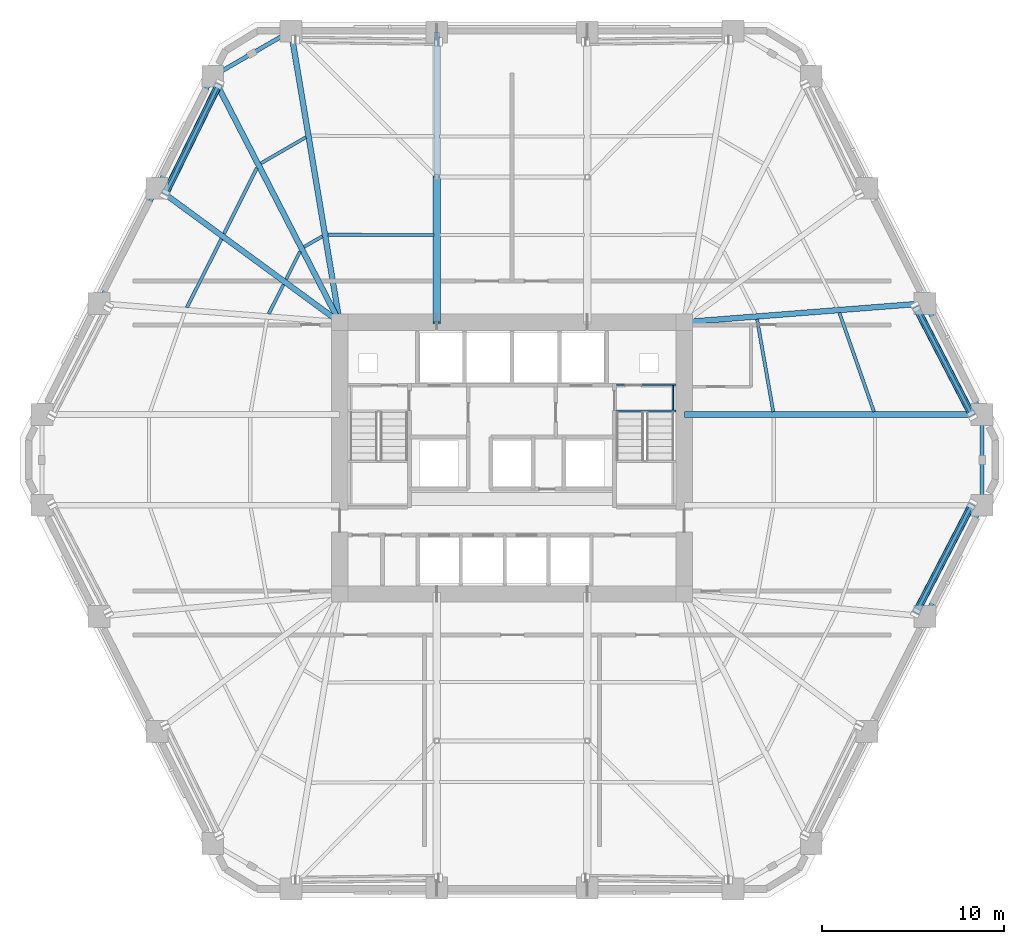
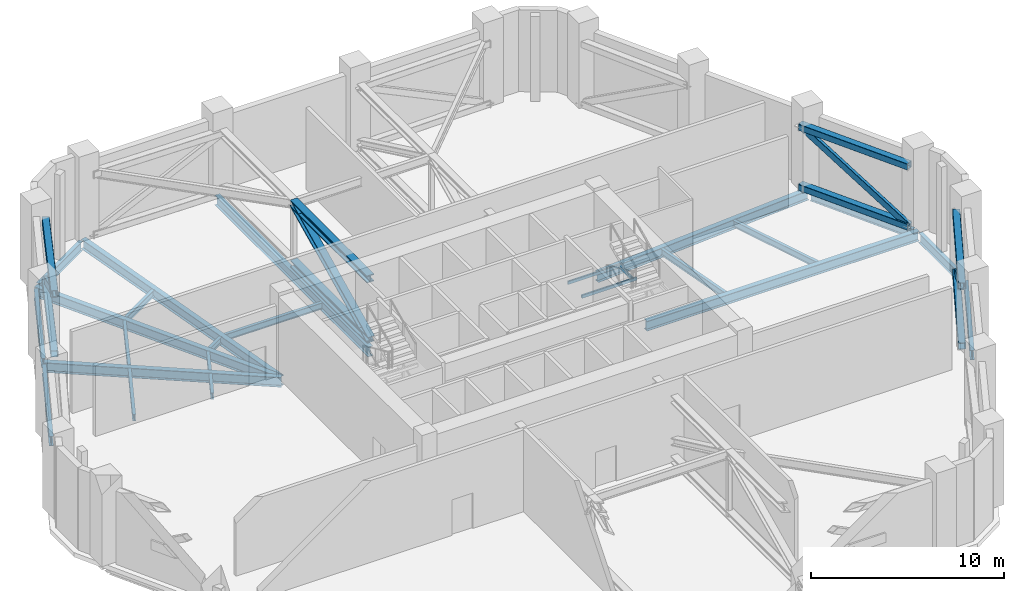
# One storey, part 4 of 19: 24 beams, 12 members.
"""IFC4 building model written with IfcOpenShell, lengths in metres."""

from ifc_helpers import new_model, si_unit, direction, frame, origin, origin_2d, place, context, subcontext, project, spatial, hollow_rectangle, i_section, extrude, material, material_profile, profile_set, type_object, element, save


model = new_model("IFC4")

# Units and contexts
model_context = context("Model", 3, precision=1e-05, world=origin(), true_north=direction((0.0, 1.0)))
body_context = subcontext(model_context, "Body", "Model", "MODEL_VIEW")
ifc_project = project(units=[si_unit("LENGTHUNIT", "METRE"), si_unit("AREAUNIT", "SQUARE_METRE"), si_unit("VOLUMEUNIT", "CUBIC_METRE"), si_unit("PLANEANGLEUNIT", "RADIAN"), si_unit("MASSUNIT", "GRAM", prefix="KILO")], contexts=[model_context])

# Site, building, storey
site_placement = place(None, origin())
site = spatial("IfcSite", under=ifc_project, at=site_placement, CompositionType="ELEMENT")
building_placement = place(site_placement, origin())
building = spatial("IfcBuilding", under=site, at=building_placement, Name="Cinnabar Lancet Tower", CompositionType="ELEMENT")
storey_placement = place(building_placement, frame((0.0, 0.0, 74.60009765625)))
storey = spatial("IfcBuildingStorey", under=building, at=storey_placement, Name="L19", CompositionType="ELEMENT", Elevation=74.60009765625)

# Beams
ifc_material_1 = material(Name="Structural steel S355", Category="steel")
ifc_material_profile_1 = material_profile(ifc_material_1, i_section(OverallWidth=0.177978515625, OverallDepth=0.406494140625, WebThickness=0.0078125, FlangeThickness=0.0126953125, FilletRadius=0.01025390625, at=origin_2d()), Name="UKB 406x178x60")
ifc_profile_set_1 = profile_set([ifc_material_profile_1], Name="Structural steel S355")
beam_type_1 = type_object("IfcBeamType", Name="STR-BM-JST-406", PredefinedType="JOIST", material=ifc_profile_set_1)
beam_1_placement = place(storey_placement, frame((52.239990234375, 28.43994140625, -0.483154296875), z_axis=(-0.329645522599, 0.944104776723, 0.0), x_axis=(-0.944104776723, -0.329645522599, 0.0)))
element("IfcBeam", 1, at=beam_1_placement, inside=storey, type_object=beam_type_1, Name="L19 Secondary Floor Joist 25", PredefinedType="JOIST", context=body_context, shape_type="SweptSolid", body=[
    extrude(i_section(OverallWidth=0.177978515625, OverallDepth=0.406494140625, WebThickness=0.0078125, FlangeThickness=0.0126953125, FilletRadius=0.01025390625, at=origin_2d()), origin(), (0.0, 0.0, 1.0), 5.73974609375),
])
beam_2_placement = place(storey_placement, frame((46.718994140625, 28.43994140625, -0.483154296875), z_axis=(-0.171867959611, 0.985119994954, 0.0), x_axis=(-0.985119994954, -0.171867959611, 0.0)))
element("IfcBeam", 2, at=beam_2_placement, inside=storey, type_object=beam_type_1, Name="L19 Secondary Floor Joist 26", PredefinedType="JOIST", context=body_context, shape_type="SweptSolid", body=[
    extrude(i_section(OverallWidth=0.177978515625, OverallDepth=0.406494140625, WebThickness=0.0078125, FlangeThickness=0.0126953125, FilletRadius=0.01025390625, at=origin_2d()), origin(), (0.0, 0.0, 1.0), 5.1435546875),
])
beam_3_placement = place(storey_placement, frame((28.1240234375, 38.123046875, -0.483154296875), z_axis=(-0.999996724007, 0.002559682773, 0.0), x_axis=(-0.002559682773, -0.999996724007, 0.0)))
element("IfcBeam", 3, at=beam_3_placement, inside=storey, type_object=beam_type_1, Name="L19 Secondary Floor Joist 38", PredefinedType="JOIST", context=body_context, shape_type="SweptSolid", body=[
    extrude(i_section(OverallWidth=0.177978515625, OverallDepth=0.406494140625, WebThickness=0.0078125, FlangeThickness=0.0126953125, FilletRadius=0.01025390625, at=origin_2d()), origin(), (0.0, 0.0, 1.0), 5.818115234375),
])
beam_4_placement = place(storey_placement, frame((21.10107421875, 43.48291015625, -0.483154296875), z_axis=(-0.865113631149, -0.50157592167, 0.0), x_axis=(0.50157592167, -0.865113631149, 0.0)))
element("IfcBeam", 4, at=beam_4_placement, inside=storey, type_object=beam_type_1, Name="L19 Secondary Floor Joist 39", PredefinedType="JOIST", context=body_context, shape_type="SweptSolid", body=[
    extrude(i_section(OverallWidth=0.177978515625, OverallDepth=0.406494140625, WebThickness=0.0078125, FlangeThickness=0.0126953125, FilletRadius=0.01025390625, at=origin_2d()), origin(), (0.0, 0.0, 1.0), 2.852783203125),
])
beam_5_placement = place(storey_placement, frame((22.008056640625, 38.055908203125, -0.483154296875), z_axis=(-0.865192550274, -0.50143977799, 0.0), x_axis=(0.50143977799, -0.865192550274, 0.0)))
element("IfcBeam", 5, at=beam_5_placement, inside=storey, type_object=beam_type_1, Name="L19 Secondary Floor Joist 40", PredefinedType="JOIST", context=body_context, shape_type="SweptSolid", body=[
    extrude(i_section(OverallWidth=0.177978515625, OverallDepth=0.406494140625, WebThickness=0.0078125, FlangeThickness=0.0126953125, FilletRadius=0.01025390625, at=origin_2d()), origin(), (0.0, 0.0, 1.0), 1.16845703125),
])
beam_6_placement = place(storey_placement, frame((18.4150390625, 41.804931640625, -0.483154296875), z_axis=(-0.445738672706, -0.895163133543, 0.0), x_axis=(0.895163133543, -0.445738672706, 0.0)))
element("IfcBeam", 6, at=beam_6_placement, inside=storey, type_object=beam_type_1, Name="L19 Secondary Floor Joist 41", PredefinedType="JOIST", context=body_context, shape_type="SweptSolid", body=[
    extrude(i_section(OverallWidth=0.177978515625, OverallDepth=0.406494140625, WebThickness=0.0078125, FlangeThickness=0.0126953125, FilletRadius=0.01025390625, at=origin_2d()), origin(), (0.0, 0.0, 1.0), 4.04052734375),
])
beam_7_placement = place(storey_placement, frame((20.779052734375, 37.222900390625, -0.483154296875), z_axis=(-0.445556802404, -0.895253671219, 0.0), x_axis=(0.895253671219, -0.445556802404, 0.0)))
element("IfcBeam", 7, at=beam_7_placement, inside=storey, type_object=beam_type_1, Name="L19 Secondary Floor Joist 42", PredefinedType="JOIST", context=body_context, shape_type="SweptSolid", body=[
    extrude(i_section(OverallWidth=0.177978515625, OverallDepth=0.406494140625, WebThickness=0.0078125, FlangeThickness=0.0126953125, FilletRadius=0.01025390625, at=origin_2d()), origin(), (0.0, 0.0, 1.0), 1.710205078125),
])
beam_8_placement = place(storey_placement, frame((16.47412109375, 37.908935546875, -0.483154296875), z_axis=(-0.450834254961, -0.89260768233, 0.0), x_axis=(0.89260768233, -0.450834254961, 0.0)))
element("IfcBeam", 8, at=beam_8_placement, inside=storey, type_object=beam_type_1, Name="L19 Secondary Floor Joist 43", PredefinedType="JOIST", context=body_context, shape_type="SweptSolid", body=[
    extrude(i_section(OverallWidth=0.177978515625, OverallDepth=0.406494140625, WebThickness=0.0078125, FlangeThickness=0.0126953125, FilletRadius=0.01025390625, at=origin_2d()), origin(), (0.0, 0.0, 1.0), 4.203369140625),
])
beam_9_placement = place(storey_placement, frame((19.876953125, 35.4130859375, -0.483154296875), z_axis=(-0.450737866707, -0.892656359142, 0.0), x_axis=(0.892656359142, -0.450737866707, 0.0)))
element("IfcBeam", 9, at=beam_9_placement, inside=storey, type_object=beam_type_1, Name="L19 Secondary Floor Joist 44", PredefinedType="JOIST", context=body_context, shape_type="SweptSolid", body=[
    extrude(i_section(OverallWidth=0.177978515625, OverallDepth=0.406494140625, WebThickness=0.0078125, FlangeThickness=0.0126953125, FilletRadius=0.01025390625, at=origin_2d()), origin(), (0.0, 0.0, 1.0), 1.79931640625),
])
ifc_material_2 = material(Name="Structural steel S355", Category="steel")
ifc_material_profile_2 = material_profile(ifc_material_2, hollow_rectangle(XDim=0.10009765625, YDim=0.199951171875, WallThickness=0.008056640625, InnerFilletRadius=0.00390625, OuterFilletRadius=0.011962890625, at=origin_2d()), Name="RHS 200x100x8")
ifc_profile_set_2 = profile_set([ifc_material_profile_2], Name="Structural steel S355")
beam_type_2 = type_object("IfcBeamType", Name="STR-BM-LND-203", PredefinedType="BEAM", material=ifc_profile_set_2)
for number, where, z_axis, x_axis, name in (
    (10, (38.1201171875, 28.47998046875, 2.39990234375), (1.0, 0.0, 0.0), (0.0, 1.0, 0.0), "L19 ST-2-L19 Landing Support Beam S"),
    (11, (38.1201171875, 29.919921875, 2.39990234375), (1.0, 0.0, 0.0), (0.0, 1.0, 0.0), "L19 ST-2-L19 Landing Support Beam N"),
):
    element("IfcBeam", number, at=place(storey_placement, frame(where, z_axis=z_axis, x_axis=x_axis)), inside=storey, type_object=beam_type_2, Name=name, PredefinedType="BEAM", context=body_context, shape_type="SweptSolid", body=[
        extrude(hollow_rectangle(XDim=0.10009765625, YDim=0.199951171875, WallThickness=0.008056640625, InnerFilletRadius=0.00390625, OuterFilletRadius=0.011962890625, at=origin_2d()), origin(), (0.0, 0.0, 1.0), 3.27978515625),
    ])
beam_10_placement = place(storey_placement, frame((41.219970703125, 28.530029296875, 2.39990234375), z_axis=(0.0, 1.0, 0.0), x_axis=(-1.0, 0.0, 0.0)))
element("IfcBeam", 12, at=beam_10_placement, inside=storey, type_object=beam_type_2, Name="L19 ST-2-L19 Landing Side Trimmer Beam", PredefinedType="BEAM", context=body_context, shape_type="SweptSolid", body=[
    extrude(hollow_rectangle(XDim=0.10009765625, YDim=0.199951171875, WallThickness=0.008056640625, InnerFilletRadius=0.00390625, OuterFilletRadius=0.011962890625, at=origin_2d()), origin(), (0.0, 0.0, 1.0), 1.340087890625),
])
ifc_material_3 = material(Name="Structural steel S355", Category="steel")
ifc_material_profile_3 = material_profile(ifc_material_3, i_section(OverallWidth=0.228271484375, OverallDepth=0.607666015625, WebThickness=0.010986328125, FlangeThickness=0.017333984375, FilletRadius=0.0126953125, at=origin_2d()), Name="UKB 610x229x113")
ifc_profile_set_3 = profile_set([ifc_material_profile_3], Name="Structural steel S355")
beam_type_3 = type_object("IfcBeamType", Name="STR-BM-SPN-610", PredefinedType="SPANDREL", material=ifc_profile_set_3)
beam_11_placement = place(storey_placement, frame((55.159912109375, 17.443115234375, -0.583984375), z_axis=(0.456024522632, 0.889967209934, 0.0), x_axis=(-0.889967209934, 0.456024522632, 0.0)))
element("IfcBeam", 13, at=beam_11_placement, inside=storey, type_object=beam_type_3, Name="L19 Perimeter Spandrel 7", PredefinedType="SPANDREL", context=body_context, shape_type="SweptSolid", body=[
    extrude(i_section(OverallWidth=0.228271484375, OverallDepth=0.607666015625, WebThickness=0.010986328125, FlangeThickness=0.017333984375, FilletRadius=0.0126953125, at=origin_2d()), origin(), (0.0, 0.0, 1.0), 6.34619140625),
])
beam_12_placement = place(storey_placement, frame((58.16796875, 23.56396484375, -0.583984375), z_axis=(0.0, 1.0, 0.0), x_axis=(-1.0, 0.0, 0.0)))
element("IfcBeam", 14, at=beam_12_placement, inside=storey, type_object=beam_type_3, Name="L19 Perimeter Spandrel 8", PredefinedType="SPANDREL", context=body_context, shape_type="SweptSolid", body=[
    extrude(i_section(OverallWidth=0.228271484375, OverallDepth=0.607666015625, WebThickness=0.010986328125, FlangeThickness=0.017333984375, FilletRadius=0.0126953125, at=origin_2d()), origin(), (0.0, 0.0, 1.0), 4.471923828125),
])
beam_13_placement = place(storey_placement, frame((58.053955078125, 28.509033203125, -0.583984375), z_axis=(-0.456024522632, 0.889967209934, 0.0), x_axis=(-0.889967209934, -0.456024522632, 0.0)))
element("IfcBeam", 15, at=beam_13_placement, inside=storey, type_object=beam_type_3, Name="L19 Perimeter Spandrel 9", PredefinedType="SPANDREL", context=body_context, shape_type="SweptSolid", body=[
    extrude(i_section(OverallWidth=0.228271484375, OverallDepth=0.607666015625, WebThickness=0.010986328125, FlangeThickness=0.017333984375, FilletRadius=0.0126953125, at=origin_2d()), origin(), (0.0, 0.0, 1.0), 6.34619140625),
])
beam_14_placement = place(storey_placement, frame((20.06689453125, 49.18603515625, -0.583984375), z_axis=(-0.865147238596, -0.501517951374, 0.0), x_axis=(0.501517951374, -0.865147238596, 0.0)))
element("IfcBeam", 16, at=beam_14_placement, inside=storey, type_object=beam_type_3, Name="L19 Perimeter Spandrel 16", PredefinedType="SPANDREL", context=body_context, shape_type="SweptSolid", body=[
    extrude(i_section(OverallWidth=0.228271484375, OverallDepth=0.607666015625, WebThickness=0.010986328125, FlangeThickness=0.017333984375, FilletRadius=0.0126953125, at=origin_2d()), origin(), (0.0, 0.0, 1.0), 4.454833984375),
])
beam_15_placement = place(storey_placement, frame((15.885986328125, 46.60302734375, -0.583984375), z_axis=(-0.445953050023, -0.89505635419, 0.0), x_axis=(0.89505635419, -0.445953050023, 0.0)))
element("IfcBeam", 17, at=beam_15_placement, inside=storey, type_object=beam_type_3, Name="L19 Perimeter Spandrel 17", PredefinedType="SPANDREL", context=body_context, shape_type="SweptSolid", body=[
    extrude(i_section(OverallWidth=0.228271484375, OverallDepth=0.607666015625, WebThickness=0.010986328125, FlangeThickness=0.017333984375, FilletRadius=0.0126953125, at=origin_2d()), origin(), (0.0, 0.0, 1.0), 6.35498046875),
])
beam_16_placement = place(storey_placement, frame((12.827880859375, 40.468017578125, -0.583984375), z_axis=(-0.450673532306, -0.892688841242, 0.0), x_axis=(0.892688841242, -0.450673532306, 0.0)))
element("IfcBeam", 18, at=beam_16_placement, inside=storey, type_object=beam_type_3, Name="L19 Perimeter Spandrel 18", PredefinedType="SPANDREL", context=body_context, shape_type="SweptSolid", body=[
    extrude(i_section(OverallWidth=0.228271484375, OverallDepth=0.607666015625, WebThickness=0.010986328125, FlangeThickness=0.017333984375, FilletRadius=0.0126953125, at=origin_2d()), origin(), (0.0, 0.0, 1.0), 6.570068359375),
])
ifc_material_4 = material(Name="Structural steel S355", Category="steel")
ifc_material_profile_4 = material_profile(ifc_material_4, i_section(OverallWidth=0.30712890625, OverallDepth=0.6201171875, WebThickness=0.01416015625, FlangeThickness=0.023681640625, FilletRadius=0.0166015625, at=origin_2d()), Name="UKB 610x305x179")
ifc_profile_set_4 = profile_set([ifc_material_profile_4], Name="Structural steel S355")
beam_type_4 = type_object("IfcBeamType", Name="STR-BM-UKB610-179", PredefinedType="BEAM", material=ifc_profile_set_4)
beam_17_placement = place(storey_placement, frame((12.94091796875, 40.69091796875, -0.590087890625), z_axis=(0.806371852816, -0.591408856026, 0.0), x_axis=(0.591408856026, 0.806371852816, 0.0)))
element("IfcBeam", 19, at=beam_17_placement, inside=storey, type_object=beam_type_4, Name="L19 Corner Collector Girder 4", PredefinedType="BEAM", context=body_context, shape_type="SweptSolid", body=[
    extrude(i_section(OverallWidth=0.30712890625, OverallDepth=0.6201171875, WebThickness=0.01416015625, FlangeThickness=0.023681640625, FilletRadius=0.0166015625, at=origin_2d()), origin(), (0.0, 0.0, 1.0), 12.412353515625),
])
beam_18_placement = place(storey_placement, frame((58.16796875, 28.285888671875, -0.590087890625), z_axis=(-1.0, 0.0, 0.0), x_axis=(0.0, -1.0, 0.0)))
element("IfcBeam", 20, at=beam_18_placement, inside=storey, type_object=beam_type_4, Name="L19 Primary Floor Girder 9", PredefinedType="BEAM", context=body_context, shape_type="SweptSolid", body=[
    extrude(i_section(OverallWidth=0.30712890625, OverallDepth=0.6201171875, WebThickness=0.01416015625, FlangeThickness=0.023681640625, FilletRadius=0.0166015625, at=origin_2d()), origin(), (0.0, 0.0, 1.0), 16.31787109375),
])
beam_19_placement = place(storey_placement, frame((55.0458984375, 34.3798828125, -0.590087890625), z_axis=(-0.99696880683, -0.077802302076, 0.0), x_axis=(0.077802302076, -0.99696880683, 0.0)))
element("IfcBeam", 21, at=beam_19_placement, inside=storey, type_object=beam_type_4, Name="L19 Primary Floor Girder 10", PredefinedType="BEAM", context=body_context, shape_type="SweptSolid", body=[
    extrude(i_section(OverallWidth=0.30712890625, OverallDepth=0.6201171875, WebThickness=0.01416015625, FlangeThickness=0.023681640625, FilletRadius=0.0166015625, at=origin_2d()), origin(), (0.0, 0.0, 1.0), 13.23583984375),
])
beam_20_placement = place(storey_placement, frame((28.278076171875, 49.258056640625, -0.590087890625), z_axis=(0.0, -1.0, 0.0), x_axis=(1.0, 0.0, 0.0)))
element("IfcBeam", 22, at=beam_20_placement, inside=storey, type_object=beam_type_4, Name="L19 Primary Floor Girder 15", PredefinedType="BEAM", context=body_context, shape_type="SweptSolid", body=[
    extrude(i_section(OverallWidth=0.30712890625, OverallDepth=0.6201171875, WebThickness=0.01416015625, FlangeThickness=0.023681640625, FilletRadius=0.0166015625, at=origin_2d()), origin(), (0.0, 0.0, 1.0), 15.907958984375),
])
beam_21_placement = place(storey_placement, frame((20.282958984375, 49.31103515625, -0.590087890625), z_axis=(0.164809990854, -0.986325335229, 0.0), x_axis=(0.986325335229, 0.164809990854, 0.0)))
element("IfcBeam", 23, at=beam_21_placement, inside=storey, type_object=beam_type_4, Name="L19 Primary Floor Girder 16", PredefinedType="BEAM", context=body_context, shape_type="SweptSolid", body=[
    extrude(i_section(OverallWidth=0.30712890625, OverallDepth=0.6201171875, WebThickness=0.01416015625, FlangeThickness=0.023681640625, FilletRadius=0.0166015625, at=origin_2d()), origin(), (0.0, 0.0, 1.0), 16.18212890625),
])
beam_22_placement = place(storey_placement, frame((15.9970703125, 46.826904296875, -0.590087890625), z_axis=(0.458492410387, -0.888698323177, 0.0), x_axis=(0.888698323177, 0.458492410387, 0.0)))
element("IfcBeam", 24, at=beam_22_placement, inside=storey, type_object=beam_type_4, Name="L19 Primary Floor Girder 17", PredefinedType="BEAM", context=body_context, shape_type="SweptSolid", body=[
    extrude(i_section(OverallWidth=0.30712890625, OverallDepth=0.6201171875, WebThickness=0.01416015625, FlangeThickness=0.023681640625, FilletRadius=0.0166015625, at=origin_2d()), origin(), (0.0, 0.0, 1.0), 15.16455078125),
])

# Members
ifc_material_5 = material(Name="Structural steel S460", Category="steel")
ifc_material_profile_5 = material_profile(ifc_material_5, hollow_rectangle(XDim=0.199951171875, YDim=0.39990234375, WallThickness=0.01611328125, InnerFilletRadius=0.008056640625, OuterFilletRadius=0.02392578125, at=origin_2d()), Name="RHS 400x200x16")
ifc_profile_set_5 = profile_set([ifc_material_profile_5], Name="Structural steel S460")
member_type_1 = type_object("IfcMemberType", Name="STR-MEM-BT-BRC400", PredefinedType="BRACE", material=ifc_profile_set_5)
member_1_placement = place(storey_placement, frame((54.531982421875, 17.4150390625, 4.02978515625), z_axis=(0.400533735005, 0.771723063755, -0.493979999586), x_axis=(-0.887575379342, 0.460662507684, 0.0)))
element("IfcMember", 25, at=member_1_placement, inside=storey, type_object=member_type_1, Name="L19 Belt Truss Face 2 Diagonal", PredefinedType="BRACE", context=body_context, shape_type="SweptSolid", body=[
    extrude(hollow_rectangle(XDim=0.199951171875, YDim=0.39990234375, WallThickness=0.01611328125, InnerFilletRadius=0.008056640625, OuterFilletRadius=0.02392578125, at=origin_2d()), origin(), (0.0, 0.0, 1.0), 7.71240234375),
])
member_2_placement = place(storey_placement, frame((57.62109375, 28.23291015625, 0.219970703125), z_axis=(-0.400523950493, 0.771735866042, 0.493967932305), x_axis=(-0.887583104975, -0.460647622118, 0.0)))
element("IfcMember", 26, at=member_2_placement, inside=storey, type_object=member_type_1, Name="L19 Belt Truss Face 3 Diagonal", PredefinedType="BRACE", context=body_context, shape_type="SweptSolid", body=[
    extrude(hollow_rectangle(XDim=0.199951171875, YDim=0.39990234375, WallThickness=0.01611328125, InnerFilletRadius=0.008056640625, OuterFilletRadius=0.02392578125, at=origin_2d()), origin(), (0.0, 0.0, 1.0), 7.712646484375),
])
member_3_placement = place(storey_placement, frame((16.3349609375, 46.39306640625, 0.219970703125), z_axis=(-0.382729517937, -0.781258636185, 0.49310552571), x_axis=(0.898029909369, -0.439934406337, 0.0)))
element("IfcMember", 27, at=member_3_placement, inside=storey, type_object=member_type_1, Name="L19 Belt Truss Face 5 Diagonal", PredefinedType="BRACE", context=body_context, shape_type="SweptSolid", body=[
    extrude(hollow_rectangle(XDim=0.199951171875, YDim=0.39990234375, WallThickness=0.01611328125, InnerFilletRadius=0.008056640625, OuterFilletRadius=0.02392578125, at=origin_2d()), origin(), (0.0, 0.0, 1.0), 7.72607421875),
])
ifc_material_6 = material(Name="Structural steel S460", Category="steel")
ifc_material_profile_6 = material_profile(ifc_material_6, hollow_rectangle(XDim=0.39990234375, YDim=0.39990234375, WallThickness=0.02001953125, InnerFilletRadius=0.010009765625, OuterFilletRadius=0.030029296875, at=origin_2d()), Name="SHS 400x400x20")
ifc_profile_set_6 = profile_set([ifc_material_profile_6], Name="Structural steel S460")
member_type_2 = type_object("IfcMemberType", Name="STR-MEM-BT-CHD400", PredefinedType="CHORD", material=ifc_profile_set_6)
for number, where, z_axis, x_axis, name in (
    (28, (54.531982421875, 17.4150390625, 0.219970703125), (0.460662507684, 0.887575379342, 0.0), (-0.887575379342, 0.460662507684, 0.0), "L19 Belt Truss Face 2 Chord BC"),
    (29, (54.531982421875, 17.4150390625, 4.02978515625), (0.460662507684, 0.887575379342, 0.0), (-0.887575379342, 0.460662507684, 0.0), "L19 Belt Truss Face 2 Chord TC"),
):
    element("IfcMember", number, at=place(storey_placement, frame(where, z_axis=z_axis, x_axis=x_axis)), inside=storey, type_object=member_type_2, Name=name, PredefinedType="CHORD", context=body_context, shape_type="SweptSolid", body=[
        extrude(hollow_rectangle(XDim=0.39990234375, YDim=0.39990234375, WallThickness=0.02001953125, InnerFilletRadius=0.010009765625, OuterFilletRadius=0.030029296875, at=origin_2d()), origin(), (0.0, 0.0, 1.0), 6.705810546875),
    ])
for number, where, z_axis, x_axis, name in (
    (30, (57.62109375, 28.23291015625, 0.219970703125), (-0.460647622118, 0.887583104975, 0.0), (-0.887583104975, -0.460647622118, 0.0), "L19 Belt Truss Face 3 Chord BC"),
    (31, (57.62109375, 28.23291015625, 4.02978515625), (-0.460647622118, 0.887583104975, 0.0), (-0.887583104975, -0.460647622118, 0.0), "L19 Belt Truss Face 3 Chord TC"),
):
    element("IfcMember", number, at=place(storey_placement, frame(where, z_axis=z_axis, x_axis=x_axis)), inside=storey, type_object=member_type_2, Name=name, PredefinedType="CHORD", context=body_context, shape_type="SweptSolid", body=[
        extrude(hollow_rectangle(XDim=0.39990234375, YDim=0.39990234375, WallThickness=0.02001953125, InnerFilletRadius=0.010009765625, OuterFilletRadius=0.030029296875, at=origin_2d()), origin(), (0.0, 0.0, 1.0), 6.7060546875),
    ])
for number, where, z_axis, x_axis, name in (
    (32, (16.3349609375, 46.39306640625, 0.219970703125), (-0.439934406337, -0.898029909369, 0.0), (0.898029909369, -0.439934406337, 0.0), "L19 Belt Truss Face 5 Chord BC"),
    (33, (16.3349609375, 46.39306640625, 4.02978515625), (-0.439934406337, -0.898029909369, 0.0), (0.898029909369, -0.439934406337, 0.0), "L19 Belt Truss Face 5 Chord TC"),
):
    element("IfcMember", number, at=place(storey_placement, frame(where, z_axis=z_axis, x_axis=x_axis)), inside=storey, type_object=member_type_2, Name=name, PredefinedType="CHORD", context=body_context, shape_type="SweptSolid", body=[
        extrude(hollow_rectangle(XDim=0.39990234375, YDim=0.39990234375, WallThickness=0.02001953125, InnerFilletRadius=0.010009765625, OuterFilletRadius=0.030029296875, at=origin_2d()), origin(), (0.0, 0.0, 1.0), 6.721435546875),
    ])
ifc_material_7 = material(Name="Structural steel S460", Category="steel")
ifc_material_profile_7 = material_profile(ifc_material_7, i_section(OverallWidth=0.406982421875, OverallDepth=0.4189453125, WebThickness=0.030517578125, FlangeThickness=0.04931640625, FilletRadius=0.01513671875, at=origin_2d()), Name="UKC 356x406x393")
ifc_profile_set_7 = profile_set([ifc_material_profile_7], Name="Structural steel S460")
member_type_3 = type_object("IfcMemberType", Name="STR-MEM-OT-BRC393", PredefinedType="BRACE", material=ifc_profile_set_7)
member_4_placement = place(storey_placement, frame((28.278076171875, 33.35009765625, 0.219970703125), z_axis=(0.0, 0.901878273931, 0.431990253375), x_axis=(-1.0, 0.0, 0.0)))
element("IfcMember", 34, at=member_4_placement, inside=storey, type_object=member_type_3, Name="L19 Outrigger Truss 4 Diagonal 1", PredefinedType="BRACE", context=body_context, shape_type="SweptSolid", body=[
    extrude(i_section(OverallWidth=0.406982421875, OverallDepth=0.4189453125, WebThickness=0.030517578125, FlangeThickness=0.04931640625, FilletRadius=0.01513671875, at=origin_2d()), origin(), (0.0, 0.0, 1.0), 8.8193359375),
])
ifc_material_8 = material(Name="Structural steel S460", Category="steel")
ifc_material_profile_8 = material_profile(ifc_material_8, i_section(OverallWidth=0.41796875, OverallDepth=0.455078125, WebThickness=0.0419921875, FlangeThickness=0.06201171875, FilletRadius=0.014892578125, at=origin_2d()), Name="HD 400x551")
ifc_profile_set_8 = profile_set([ifc_material_profile_8], Name="Structural steel S460")
member_type_4 = type_object("IfcMemberType", Name="STR-MEM-OT-CHD551", PredefinedType="CHORD", material=ifc_profile_set_8)
for number, where, z_axis, x_axis, name in (
    (35, (28.278076171875, 33.35009765625, 0.219970703125), (0.0, 1.0, 0.0), (-1.0, 0.0, 0.0), "L19 Outrigger Truss 4 Chord BC1"),
    (36, (28.278076171875, 33.35009765625, 4.02978515625), (0.0, 1.0, 0.0), (-1.0, 0.0, 0.0), "L19 Outrigger Truss 4 Chord TC1"),
):
    element("IfcMember", number, at=place(storey_placement, frame(where, z_axis=z_axis, x_axis=x_axis)), inside=storey, type_object=member_type_4, Name=name, PredefinedType="CHORD", context=body_context, shape_type="SweptSolid", body=[
        extrude(i_section(OverallWidth=0.41796875, OverallDepth=0.455078125, WebThickness=0.0419921875, FlangeThickness=0.06201171875, FilletRadius=0.014892578125, at=origin_2d()), origin(), (0.0, 0.0, 1.0), 7.953857421875),
    ])

save(model, "model.ifc")
